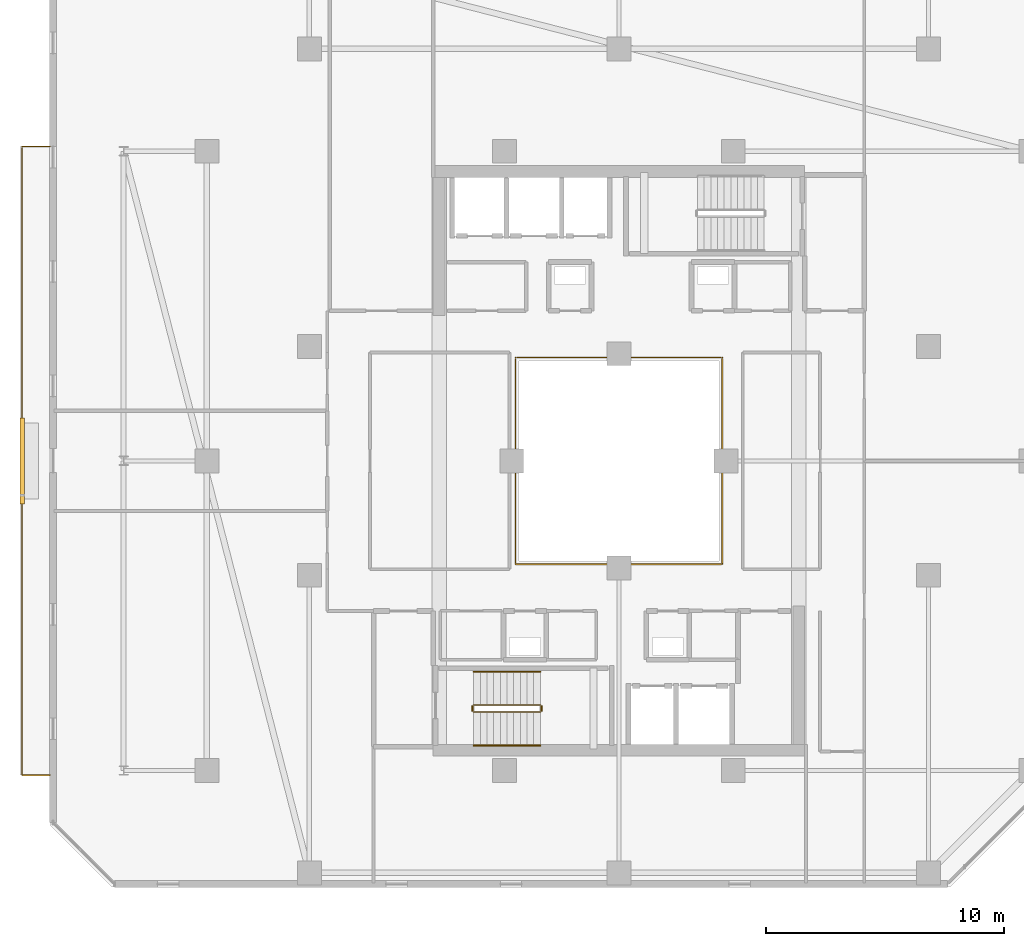
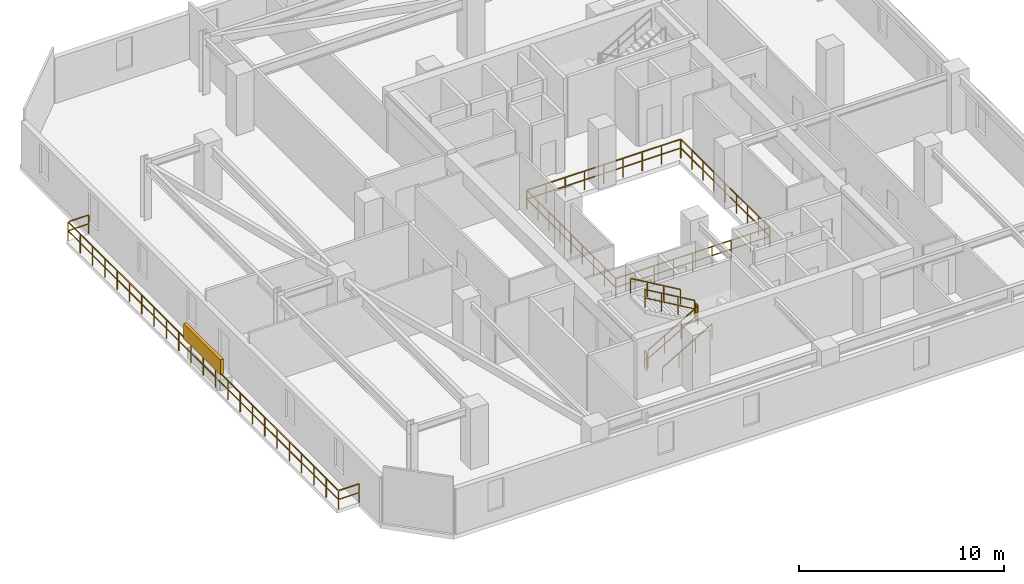
# One storey, part 30 of 33: 8 railings, 1 shading device.
"""IFC4 building model written with IfcOpenShell, lengths in metres."""

from ifc_helpers import new_model, si_unit, direction, frame, origin, origin_2d, place, context, subcontext, project, spatial, rectangle, extrude, material, type_object, element, save


model = new_model("IFC4")

# Units and contexts
model_context = context("Model", 3, precision=1e-05, world=origin(), true_north=direction((0.0, 1.0)))
body_context = subcontext(model_context, "Body", "Model", "MODEL_VIEW")
ifc_project = project(units=[si_unit("LENGTHUNIT", "METRE"), si_unit("AREAUNIT", "SQUARE_METRE"), si_unit("VOLUMEUNIT", "CUBIC_METRE"), si_unit("PLANEANGLEUNIT", "RADIAN"), si_unit("MASSUNIT", "GRAM", prefix="KILO")], contexts=[model_context])

# Site, building, storey
site_placement = place(None, origin())
site = spatial("IfcSite", under=ifc_project, at=site_placement, CompositionType="ELEMENT")
building_placement = place(site_placement, origin())
building = spatial("IfcBuilding", under=site, at=building_placement, Name="Thornwick Lancets Civic Towers", CompositionType="ELEMENT")
storey_placement = place(building_placement, frame((0.0, 0.0, 203.699951171875)))
storey = spatial("IfcBuildingStorey", under=building, at=storey_placement, Name="L54", CompositionType="ELEMENT", Elevation=203.699951171875)

# Railings
ifc_material_1 = material(Name="Laminated glass and bronze steel S355", Category="steel")
railing_type_1 = type_object("IfcRailingType", Name="RAIL_ATRIUM_GUARD", PredefinedType="BALUSTRADE", material=ifc_material_1)
railing_1_placement = place(storey_placement, frame((21.159912109375, 22.659912109375, 0.0)))
element("IfcRailing", 1, at=railing_1_placement, inside=storey, type_object=railing_type_1, Name="L54 Tower A Central Atrium Guard Balustrade", PredefinedType="BALUSTRADE", context=body_context, shape_type="SweptSolid", body=[
    extrude(rectangle(XDim=0.048095703125, YDim=0.048095703125, at=origin_2d()), frame((0.0, 0.0, 1.1259765625), z_axis=(1.0, 0.0, 0.0), x_axis=(0.0, 1.0, 0.0)), (0.0, 0.0, 1.0), 8.64892578125),
    extrude(rectangle(XDim=0.0419921875, YDim=0.0419921875, at=origin_2d()), frame((0.03759765625, 0.0, 0.597900390625), z_axis=(1.0, 0.0, 0.0), x_axis=(0.0, 1.0, 0.0)), (0.0, 0.0, 1.0), 1.010009765625),
    extrude(rectangle(XDim=0.0419921875, YDim=0.0419921875, at=origin_2d()), frame((1.12255859375, 0.0, 0.597900390625), z_axis=(1.0, 0.0, 0.0), x_axis=(0.0, 1.0, 0.0)), (0.0, 0.0, 1.0), 1.010009765625),
    extrude(rectangle(XDim=0.0419921875, YDim=0.0419921875, at=origin_2d()), frame((2.20751953125, 0.0, 0.597900390625), z_axis=(1.0, 0.0, 0.0), x_axis=(0.0, 1.0, 0.0)), (0.0, 0.0, 1.0), 1.010009765625),
    extrude(rectangle(XDim=0.0419921875, YDim=0.0419921875, at=origin_2d()), frame((3.29248046875, 0.0, 0.597900390625), z_axis=(1.0, 0.0, 0.0), x_axis=(0.0, 1.0, 0.0)), (0.0, 0.0, 1.0), 1.010009765625),
    extrude(rectangle(XDim=0.0419921875, YDim=0.0419921875, at=origin_2d()), frame((4.377685546875, 0.0, 0.597900390625), z_axis=(1.0, 0.0, 0.0), x_axis=(0.0, 1.0, 0.0)), (0.0, 0.0, 1.0), 1.010009765625),
    extrude(rectangle(XDim=0.0419921875, YDim=0.0419921875, at=origin_2d()), frame((5.462646484375, 0.0, 0.597900390625), z_axis=(1.0, 0.0, 0.0), x_axis=(0.0, 1.0, 0.0)), (0.0, 0.0, 1.0), 1.010009765625),
    extrude(rectangle(XDim=0.0419921875, YDim=0.0419921875, at=origin_2d()), frame((6.547607421875, 0.0, 0.597900390625), z_axis=(1.0, 0.0, 0.0), x_axis=(0.0, 1.0, 0.0)), (0.0, 0.0, 1.0), 1.010009765625),
    extrude(rectangle(XDim=0.0419921875, YDim=0.0419921875, at=origin_2d()), frame((7.632568359375, 0.0, 0.597900390625), z_axis=(1.0, 0.0, 0.0), x_axis=(0.0, 1.0, 0.0)), (0.0, 0.0, 1.0), 1.010009765625),
    extrude(rectangle(XDim=0.048095703125, YDim=0.048095703125, at=origin_2d()), frame((8.68017578125, 0.03125, 1.1259765625), z_axis=(0.0, 1.0, 0.0), x_axis=(-1.0, 0.0, 0.0)), (0.0, 0.0, 1.0), 8.61767578125),
    extrude(rectangle(XDim=0.0419921875, YDim=0.0419921875, at=origin_2d()), frame((8.68017578125, 0.03759765625, 0.597900390625), z_axis=(0.0, 1.0, 0.0), x_axis=(-1.0, 0.0, 0.0)), (0.0, 0.0, 1.0), 1.010009765625),
    extrude(rectangle(XDim=0.0419921875, YDim=0.0419921875, at=origin_2d()), frame((8.68017578125, 1.12255859375, 0.597900390625), z_axis=(0.0, 1.0, 0.0), x_axis=(-1.0, 0.0, 0.0)), (0.0, 0.0, 1.0), 1.010009765625),
    extrude(rectangle(XDim=0.0419921875, YDim=0.0419921875, at=origin_2d()), frame((8.68017578125, 2.20751953125, 0.597900390625), z_axis=(0.0, 1.0, 0.0), x_axis=(-1.0, 0.0, 0.0)), (0.0, 0.0, 1.0), 1.010009765625),
    extrude(rectangle(XDim=0.0419921875, YDim=0.0419921875, at=origin_2d()), frame((8.68017578125, 3.29248046875, 0.597900390625), z_axis=(0.0, 1.0, 0.0), x_axis=(-1.0, 0.0, 0.0)), (0.0, 0.0, 1.0), 1.010009765625),
    extrude(rectangle(XDim=0.0419921875, YDim=0.0419921875, at=origin_2d()), frame((8.68017578125, 4.377685546875, 0.597900390625), z_axis=(0.0, 1.0, 0.0), x_axis=(-1.0, 0.0, 0.0)), (0.0, 0.0, 1.0), 1.010009765625),
    extrude(rectangle(XDim=0.0419921875, YDim=0.0419921875, at=origin_2d()), frame((8.68017578125, 5.462646484375, 0.597900390625), z_axis=(0.0, 1.0, 0.0), x_axis=(-1.0, 0.0, 0.0)), (0.0, 0.0, 1.0), 1.010009765625),
    extrude(rectangle(XDim=0.0419921875, YDim=0.0419921875, at=origin_2d()), frame((8.68017578125, 6.547607421875, 0.597900390625), z_axis=(0.0, 1.0, 0.0), x_axis=(-1.0, 0.0, 0.0)), (0.0, 0.0, 1.0), 1.010009765625),
    extrude(rectangle(XDim=0.0419921875, YDim=0.0419921875, at=origin_2d()), frame((8.68017578125, 7.632568359375, 0.597900390625), z_axis=(0.0, 1.0, 0.0), x_axis=(-1.0, 0.0, 0.0)), (0.0, 0.0, 1.0), 1.010009765625),
    extrude(rectangle(XDim=0.048095703125, YDim=0.048095703125, at=origin_2d()), frame((8.64892578125, 8.68017578125, 1.1259765625), z_axis=(-1.0, 0.0, 0.0), x_axis=(0.0, -1.0, 0.0)), (0.0, 0.0, 1.0), 8.61767578125),
    extrude(rectangle(XDim=0.0419921875, YDim=0.0419921875, at=origin_2d()), frame((8.642578125, 8.68017578125, 0.597900390625), z_axis=(-1.0, 0.0, 0.0), x_axis=(0.0, -1.0, 0.0)), (0.0, 0.0, 1.0), 1.010009765625),
    extrude(rectangle(XDim=0.0419921875, YDim=0.0419921875, at=origin_2d()), frame((7.5576171875, 8.68017578125, 0.597900390625), z_axis=(-1.0, 0.0, 0.0), x_axis=(0.0, -1.0, 0.0)), (0.0, 0.0, 1.0), 1.010009765625),
    extrude(rectangle(XDim=0.0419921875, YDim=0.0419921875, at=origin_2d()), frame((6.47265625, 8.68017578125, 0.597900390625), z_axis=(-1.0, 0.0, 0.0), x_axis=(0.0, -1.0, 0.0)), (0.0, 0.0, 1.0), 1.010009765625),
    extrude(rectangle(XDim=0.0419921875, YDim=0.0419921875, at=origin_2d()), frame((5.3876953125, 8.68017578125, 0.597900390625), z_axis=(-1.0, 0.0, 0.0), x_axis=(0.0, -1.0, 0.0)), (0.0, 0.0, 1.0), 1.010009765625),
    extrude(rectangle(XDim=0.0419921875, YDim=0.0419921875, at=origin_2d()), frame((4.302490234375, 8.68017578125, 0.597900390625), z_axis=(-1.0, 0.0, 0.0), x_axis=(0.0, -1.0, 0.0)), (0.0, 0.0, 1.0), 1.010009765625),
    extrude(rectangle(XDim=0.0419921875, YDim=0.0419921875, at=origin_2d()), frame((3.217529296875, 8.68017578125, 0.597900390625), z_axis=(-1.0, 0.0, 0.0), x_axis=(0.0, -1.0, 0.0)), (0.0, 0.0, 1.0), 1.010009765625),
    extrude(rectangle(XDim=0.0419921875, YDim=0.0419921875, at=origin_2d()), frame((2.132568359375, 8.68017578125, 0.597900390625), z_axis=(-1.0, 0.0, 0.0), x_axis=(0.0, -1.0, 0.0)), (0.0, 0.0, 1.0), 1.010009765625),
    extrude(rectangle(XDim=0.0419921875, YDim=0.0419921875, at=origin_2d()), frame((1.047607421875, 8.68017578125, 0.597900390625), z_axis=(-1.0, 0.0, 0.0), x_axis=(0.0, -1.0, 0.0)), (0.0, 0.0, 1.0), 1.010009765625),
    extrude(rectangle(XDim=0.048095703125, YDim=0.048095703125, at=origin_2d()), frame((0.0, 8.64892578125, 1.1259765625), z_axis=(0.0, -1.0, 0.0), x_axis=(1.0, 0.0, 0.0)), (0.0, 0.0, 1.0), 8.64892578125),
    extrude(rectangle(XDim=0.0419921875, YDim=0.0419921875, at=origin_2d()), frame((0.0, 8.642578125, 0.597900390625), z_axis=(0.0, -1.0, 0.0), x_axis=(1.0, 0.0, 0.0)), (0.0, 0.0, 1.0), 1.010009765625),
    extrude(rectangle(XDim=0.0419921875, YDim=0.0419921875, at=origin_2d()), frame((0.0, 7.5576171875, 0.597900390625), z_axis=(0.0, -1.0, 0.0), x_axis=(1.0, 0.0, 0.0)), (0.0, 0.0, 1.0), 1.010009765625),
    extrude(rectangle(XDim=0.0419921875, YDim=0.0419921875, at=origin_2d()), frame((0.0, 6.47265625, 0.597900390625), z_axis=(0.0, -1.0, 0.0), x_axis=(1.0, 0.0, 0.0)), (0.0, 0.0, 1.0), 1.010009765625),
    extrude(rectangle(XDim=0.0419921875, YDim=0.0419921875, at=origin_2d()), frame((0.0, 5.3876953125, 0.597900390625), z_axis=(0.0, -1.0, 0.0), x_axis=(1.0, 0.0, 0.0)), (0.0, 0.0, 1.0), 1.010009765625),
    extrude(rectangle(XDim=0.0419921875, YDim=0.0419921875, at=origin_2d()), frame((0.0, 4.302490234375, 0.597900390625), z_axis=(0.0, -1.0, 0.0), x_axis=(1.0, 0.0, 0.0)), (0.0, 0.0, 1.0), 1.010009765625),
    extrude(rectangle(XDim=0.0419921875, YDim=0.0419921875, at=origin_2d()), frame((0.0, 3.217529296875, 0.597900390625), z_axis=(0.0, -1.0, 0.0), x_axis=(1.0, 0.0, 0.0)), (0.0, 0.0, 1.0), 1.010009765625),
    extrude(rectangle(XDim=0.0419921875, YDim=0.0419921875, at=origin_2d()), frame((0.0, 2.132568359375, 0.597900390625), z_axis=(0.0, -1.0, 0.0), x_axis=(1.0, 0.0, 0.0)), (0.0, 0.0, 1.0), 1.010009765625),
    extrude(rectangle(XDim=0.0419921875, YDim=0.0419921875, at=origin_2d()), frame((0.0, 1.047607421875, 0.597900390625), z_axis=(0.0, -1.0, 0.0), x_axis=(1.0, 0.0, 0.0)), (0.0, 0.0, 1.0), 1.010009765625),
    extrude(rectangle(XDim=0.0419921875, YDim=0.0419921875, at=origin_2d()), origin(), (0.0, 0.0, 1.0), 1.095703125),
    extrude(rectangle(XDim=0.0419921875, YDim=0.0419921875, at=origin_2d()), frame((1.0849609375, 0.0, 0.0)), (0.0, 0.0, 1.0), 1.095703125),
    extrude(rectangle(XDim=0.0419921875, YDim=0.0419921875, at=origin_2d()), frame((2.169921875, 0.0, 0.0)), (0.0, 0.0, 1.0), 1.095703125),
    extrude(rectangle(XDim=0.0419921875, YDim=0.0419921875, at=origin_2d()), frame((3.255126953125, 0.0, 0.0)), (0.0, 0.0, 1.0), 1.095703125),
    extrude(rectangle(XDim=0.0419921875, YDim=0.0419921875, at=origin_2d()), frame((4.340087890625, 0.0, 0.0)), (0.0, 0.0, 1.0), 1.095703125),
    extrude(rectangle(XDim=0.0419921875, YDim=0.0419921875, at=origin_2d()), frame((5.425048828125, 0.0, 0.0)), (0.0, 0.0, 1.0), 1.095703125),
    extrude(rectangle(XDim=0.0419921875, YDim=0.0419921875, at=origin_2d()), frame((6.51025390625, 0.0, 0.0)), (0.0, 0.0, 1.0), 1.095703125),
    extrude(rectangle(XDim=0.0419921875, YDim=0.0419921875, at=origin_2d()), frame((7.59521484375, 0.0, 0.0)), (0.0, 0.0, 1.0), 1.095703125),
    extrude(rectangle(XDim=0.0419921875, YDim=0.0419921875, at=origin_2d()), frame((8.68017578125, 0.0, 0.0)), (0.0, 0.0, 1.0), 1.095703125),
    extrude(rectangle(XDim=0.0419921875, YDim=0.0419921875, at=origin_2d()), frame((8.68017578125, 1.0849609375, 0.0)), (0.0, 0.0, 1.0), 1.095703125),
    extrude(rectangle(XDim=0.0419921875, YDim=0.0419921875, at=origin_2d()), frame((8.68017578125, 2.169921875, 0.0)), (0.0, 0.0, 1.0), 1.095703125),
    extrude(rectangle(XDim=0.0419921875, YDim=0.0419921875, at=origin_2d()), frame((8.68017578125, 3.255126953125, 0.0)), (0.0, 0.0, 1.0), 1.095703125),
    extrude(rectangle(XDim=0.0419921875, YDim=0.0419921875, at=origin_2d()), frame((8.68017578125, 4.340087890625, 0.0)), (0.0, 0.0, 1.0), 1.095703125),
    extrude(rectangle(XDim=0.0419921875, YDim=0.0419921875, at=origin_2d()), frame((8.68017578125, 5.425048828125, 0.0)), (0.0, 0.0, 1.0), 1.095703125),
    extrude(rectangle(XDim=0.0419921875, YDim=0.0419921875, at=origin_2d()), frame((8.68017578125, 6.51025390625, 0.0)), (0.0, 0.0, 1.0), 1.095703125),
    extrude(rectangle(XDim=0.0419921875, YDim=0.0419921875, at=origin_2d()), frame((8.68017578125, 7.59521484375, 0.0)), (0.0, 0.0, 1.0), 1.095703125),
    extrude(rectangle(XDim=0.0419921875, YDim=0.0419921875, at=origin_2d()), frame((8.68017578125, 8.68017578125, 0.0)), (0.0, 0.0, 1.0), 1.095703125),
    extrude(rectangle(XDim=0.0419921875, YDim=0.0419921875, at=origin_2d()), frame((7.59521484375, 8.68017578125, 0.0)), (0.0, 0.0, 1.0), 1.095703125),
    extrude(rectangle(XDim=0.0419921875, YDim=0.0419921875, at=origin_2d()), frame((6.51025390625, 8.68017578125, 0.0)), (0.0, 0.0, 1.0), 1.095703125),
    extrude(rectangle(XDim=0.0419921875, YDim=0.0419921875, at=origin_2d()), frame((5.425048828125, 8.68017578125, 0.0)), (0.0, 0.0, 1.0), 1.095703125),
    extrude(rectangle(XDim=0.0419921875, YDim=0.0419921875, at=origin_2d()), frame((4.340087890625, 8.68017578125, 0.0)), (0.0, 0.0, 1.0), 1.095703125),
    extrude(rectangle(XDim=0.0419921875, YDim=0.0419921875, at=origin_2d()), frame((3.255126953125, 8.68017578125, 0.0)), (0.0, 0.0, 1.0), 1.095703125),
    extrude(rectangle(XDim=0.0419921875, YDim=0.0419921875, at=origin_2d()), frame((2.169921875, 8.68017578125, 0.0)), (0.0, 0.0, 1.0), 1.095703125),
    extrude(rectangle(XDim=0.0419921875, YDim=0.0419921875, at=origin_2d()), frame((1.0849609375, 8.68017578125, 0.0)), (0.0, 0.0, 1.0), 1.095703125),
    extrude(rectangle(XDim=0.0419921875, YDim=0.0419921875, at=origin_2d()), frame((0.0, 8.68017578125, 0.0)), (0.0, 0.0, 1.0), 1.095703125),
    extrude(rectangle(XDim=0.0419921875, YDim=0.0419921875, at=origin_2d()), frame((0.0, 7.59521484375, 0.0)), (0.0, 0.0, 1.0), 1.095703125),
    extrude(rectangle(XDim=0.0419921875, YDim=0.0419921875, at=origin_2d()), frame((0.0, 6.51025390625, 0.0)), (0.0, 0.0, 1.0), 1.095703125),
    extrude(rectangle(XDim=0.0419921875, YDim=0.0419921875, at=origin_2d()), frame((0.0, 5.425048828125, 0.0)), (0.0, 0.0, 1.0), 1.095703125),
    extrude(rectangle(XDim=0.0419921875, YDim=0.0419921875, at=origin_2d()), frame((0.0, 4.340087890625, 0.0)), (0.0, 0.0, 1.0), 1.095703125),
    extrude(rectangle(XDim=0.0419921875, YDim=0.0419921875, at=origin_2d()), frame((0.0, 3.255126953125, 0.0)), (0.0, 0.0, 1.0), 1.095703125),
    extrude(rectangle(XDim=0.0419921875, YDim=0.0419921875, at=origin_2d()), frame((0.0, 2.169921875, 0.0)), (0.0, 0.0, 1.0), 1.095703125),
    extrude(rectangle(XDim=0.0419921875, YDim=0.0419921875, at=origin_2d()), frame((0.0, 1.0849609375, 0.0)), (0.0, 0.0, 1.0), 1.095703125),
])
ifc_material_2 = material(Name="Brushed stainless steel S355", Category="steel")
railing_type_2 = type_object("IfcRailingType", Name="RAIL_HANDRAIL", PredefinedType="HANDRAIL", material=ifc_material_2)
railing_2_placement = place(storey_placement, frame((19.39990234375, 15.050048828125, 0.16357421875)))
element("IfcRailing", 2, at=railing_2_placement, inside=storey, type_object=railing_type_2, Name="L54 ST-A1 stair handrail 1", PredefinedType="HANDRAIL", context=body_context, shape_type="SweptSolid", body=[
    extrude(rectangle(XDim=0.048095703125, YDim=0.048095703125, at=origin_2d()), frame((0.0, 0.0, 0.8857421875), z_axis=(0.863360870873, 0.0, 0.504586966384), x_axis=(0.0, 1.0, 0.0)), (0.0, 0.0, 1.0), 3.2431640625),
    extrude(rectangle(XDim=0.0419921875, YDim=0.0419921875, at=origin_2d()), origin(), (0.0, 0.0, 1.0), 0.855712890625),
    extrude(rectangle(XDim=0.0419921875, YDim=0.0419921875, at=origin_2d()), frame((0.933349609375, 0.0, 0.54541015625)), (0.0, 0.0, 1.0), 0.855712890625),
    extrude(rectangle(XDim=0.0419921875, YDim=0.0419921875, at=origin_2d()), frame((1.86669921875, 0.0, 1.091064453125)), (0.0, 0.0, 1.0), 0.855712890625),
    extrude(rectangle(XDim=0.0419921875, YDim=0.0419921875, at=origin_2d()), frame((2.800048828125, 0.0, 1.636474609375)), (0.0, 0.0, 1.0), 0.855712890625),
])
railing_3_placement = place(storey_placement, frame((22.199951171875, 18.14990234375, 1.963623046875)))
element("IfcRailing", 3, at=railing_3_placement, inside=storey, type_object=railing_type_2, Name="L54 ST-A1 stair handrail 2", PredefinedType="HANDRAIL", context=body_context, shape_type="SweptSolid", body=[
    extrude(rectangle(XDim=0.048095703125, YDim=0.048095703125, at=origin_2d()), frame((0.0, 0.0, 0.8857421875), z_axis=(-0.863360870873, 0.0, 0.504586966384), x_axis=(0.0, -1.0, 0.0)), (0.0, 0.0, 1.0), 3.2431640625),
    extrude(rectangle(XDim=0.0419921875, YDim=0.0419921875, at=origin_2d()), origin(), (0.0, 0.0, 1.0), 0.855712890625),
    extrude(rectangle(XDim=0.0419921875, YDim=0.0419921875, at=origin_2d()), frame((-0.933349609375, 0.0, 0.54541015625)), (0.0, 0.0, 1.0), 0.855712890625),
    extrude(rectangle(XDim=0.0419921875, YDim=0.0419921875, at=origin_2d()), frame((-1.86669921875, 0.0, 1.091064453125)), (0.0, 0.0, 1.0), 0.855712890625),
    extrude(rectangle(XDim=0.0419921875, YDim=0.0419921875, at=origin_2d()), frame((-2.800048828125, 0.0, 1.636474609375)), (0.0, 0.0, 1.0), 0.855712890625),
])
ifc_material_3 = material(Name="Steel S355JR", Category="steel")
railing_type_3 = type_object("IfcRailingType", Name="RAIL_STAIR_GUARD", PredefinedType="GUARDRAIL", material=ifc_material_3)
railing_4_placement = place(storey_placement, frame((19.39990234375, 16.449951171875, 0.16357421875)))
element("IfcRailing", 4, at=railing_4_placement, inside=storey, type_object=railing_type_3, Name="L54 ST-A1 stair guard 1", PredefinedType="GUARDRAIL", context=body_context, shape_type="SweptSolid", body=[
    extrude(rectangle(XDim=0.048095703125, YDim=0.048095703125, at=origin_2d()), frame((0.0, 0.0, 1.076171875), z_axis=(0.863360870873, 0.0, 0.504586966384), x_axis=(0.0, 1.0, 0.0)), (0.0, 0.0, 1.0), 3.2431640625),
    extrude(rectangle(XDim=0.0419921875, YDim=0.0419921875, at=origin_2d()), frame((0.032470703125, 0.0, 0.591064453125), z_axis=(0.863360870873, 0.0, 0.504586966384), x_axis=(0.0, 1.0, 0.0)), (0.0, 0.0, 1.0), 1.006103515625),
    extrude(rectangle(XDim=0.0419921875, YDim=0.0419921875, at=origin_2d()), frame((0.9658203125, 0.0, 1.136474609375), z_axis=(0.863360870873, 0.0, 0.504586966384), x_axis=(0.0, 1.0, 0.0)), (0.0, 0.0, 1.0), 1.006103515625),
    extrude(rectangle(XDim=0.0419921875, YDim=0.0419921875, at=origin_2d()), frame((1.899169921875, 0.0, 1.681884765625), z_axis=(0.863360870873, 0.0, 0.504586966384), x_axis=(0.0, 1.0, 0.0)), (0.0, 0.0, 1.0), 1.006103515625),
    extrude(rectangle(XDim=0.0419921875, YDim=0.0419921875, at=origin_2d()), origin(), (0.0, 0.0, 1.0), 1.0458984375),
    extrude(rectangle(XDim=0.0419921875, YDim=0.0419921875, at=origin_2d()), frame((0.933349609375, 0.0, 0.54541015625)), (0.0, 0.0, 1.0), 1.0458984375),
    extrude(rectangle(XDim=0.0419921875, YDim=0.0419921875, at=origin_2d()), frame((1.86669921875, 0.0, 1.091064453125)), (0.0, 0.0, 1.0), 1.0458984375),
    extrude(rectangle(XDim=0.0419921875, YDim=0.0419921875, at=origin_2d()), frame((2.800048828125, 0.0, 1.636474609375)), (0.0, 0.0, 1.0), 1.0458984375),
])
railing_5_placement = place(storey_placement, frame((22.25, 16.5, 1.800048828125)))
element("IfcRailing", 5, at=railing_5_placement, inside=storey, type_object=railing_type_3, Name="L54 ST-A1 stair guard 2", PredefinedType="GUARDRAIL", context=body_context, shape_type="SweptSolid", body=[
    extrude(rectangle(XDim=0.048095703125, YDim=0.048095703125, at=origin_2d()), frame((0.0, 0.0, 1.076171875), z_axis=(0.0, 1.0, 0.0), x_axis=(-1.0, 0.0, 0.0)), (0.0, 0.0, 1.0), 0.199951171875),
    extrude(rectangle(XDim=0.0419921875, YDim=0.0419921875, at=origin_2d()), frame((0.0, 0.03759765625, 0.572021484375), z_axis=(0.0, 1.0, 0.0), x_axis=(-1.0, 0.0, 0.0)), (0.0, 0.0, 1.0), 0.125),
    extrude(rectangle(XDim=0.0419921875, YDim=0.0419921875, at=origin_2d()), origin(), (0.0, 0.0, 1.0), 1.0458984375),
    extrude(rectangle(XDim=0.0419921875, YDim=0.0419921875, at=origin_2d()), frame((0.0, 0.199951171875, 0.0)), (0.0, 0.0, 1.0), 1.0458984375),
])
railing_6_placement = place(storey_placement, frame((22.199951171875, 16.75, 1.963623046875)))
element("IfcRailing", 6, at=railing_6_placement, inside=storey, type_object=railing_type_3, Name="L54 ST-A1 stair guard 3", PredefinedType="GUARDRAIL", context=body_context, shape_type="SweptSolid", body=[
    extrude(rectangle(XDim=0.048095703125, YDim=0.048095703125, at=origin_2d()), frame((0.0, 0.0, 1.076171875), z_axis=(-0.863360870873, 0.0, 0.504586966384), x_axis=(0.0, -1.0, 0.0)), (0.0, 0.0, 1.0), 3.2431640625),
    extrude(rectangle(XDim=0.0419921875, YDim=0.0419921875, at=origin_2d()), frame((-0.032470703125, 0.0, 0.591064453125), z_axis=(-0.863360870873, 0.0, 0.504586966384), x_axis=(0.0, -1.0, 0.0)), (0.0, 0.0, 1.0), 1.006103515625),
    extrude(rectangle(XDim=0.0419921875, YDim=0.0419921875, at=origin_2d()), frame((-0.9658203125, 0.0, 1.136474609375), z_axis=(-0.863360870873, 0.0, 0.504586966384), x_axis=(0.0, -1.0, 0.0)), (0.0, 0.0, 1.0), 1.006103515625),
    extrude(rectangle(XDim=0.0419921875, YDim=0.0419921875, at=origin_2d()), frame((-1.899169921875, 0.0, 1.681884765625), z_axis=(-0.863360870873, 0.0, 0.504586966384), x_axis=(0.0, -1.0, 0.0)), (0.0, 0.0, 1.0), 1.006103515625),
    extrude(rectangle(XDim=0.0419921875, YDim=0.0419921875, at=origin_2d()), origin(), (0.0, 0.0, 1.0), 1.0458984375),
    extrude(rectangle(XDim=0.0419921875, YDim=0.0419921875, at=origin_2d()), frame((-0.933349609375, 0.0, 0.54541015625)), (0.0, 0.0, 1.0), 1.0458984375),
    extrude(rectangle(XDim=0.0419921875, YDim=0.0419921875, at=origin_2d()), frame((-1.86669921875, 0.0, 1.091064453125)), (0.0, 0.0, 1.0), 1.0458984375),
    extrude(rectangle(XDim=0.0419921875, YDim=0.0419921875, at=origin_2d()), frame((-2.800048828125, 0.0, 1.636474609375)), (0.0, 0.0, 1.0), 1.0458984375),
])
railing_7_placement = place(storey_placement, frame((19.35009765625, 16.5, 0.0)))
element("IfcRailing", 7, at=railing_7_placement, inside=storey, type_object=railing_type_3, Name="L54 ST-A1 stair guard 4", PredefinedType="GUARDRAIL", context=body_context, shape_type="SweptSolid", body=[
    extrude(rectangle(XDim=0.048095703125, YDim=0.048095703125, at=origin_2d()), frame((0.0, 0.0, 1.076171875), z_axis=(0.0, 1.0, 0.0), x_axis=(-1.0, 0.0, 0.0)), (0.0, 0.0, 1.0), 0.199951171875),
    extrude(rectangle(XDim=0.0419921875, YDim=0.0419921875, at=origin_2d()), frame((0.0, 0.03759765625, 0.572021484375), z_axis=(0.0, 1.0, 0.0), x_axis=(-1.0, 0.0, 0.0)), (0.0, 0.0, 1.0), 0.125),
    extrude(rectangle(XDim=0.0419921875, YDim=0.0419921875, at=origin_2d()), origin(), (0.0, 0.0, 1.0), 1.0458984375),
    extrude(rectangle(XDim=0.0419921875, YDim=0.0419921875, at=origin_2d()), frame((0.0, 0.199951171875, 0.0)), (0.0, 0.0, 1.0), 1.0458984375),
])
ifc_material_4 = material(Name="Terracotta-capped laminated glass balustrade S355", Category="masonry")
railing_type_4 = type_object("IfcRailingType", Name="RAIL_TERR_GUARD", PredefinedType="GUARDRAIL", material=ifc_material_4)
railing_8_placement = place(storey_placement, frame((1.60009765625, 13.800048828125, 0.0)))
element("IfcRailing", 8, at=railing_8_placement, inside=storey, type_object=railing_type_4, Name="L54 Tower A Balcony Guard W", PredefinedType="GUARDRAIL", context=body_context, shape_type="SweptSolid", body=[
    extrude(rectangle(XDim=0.048095703125, YDim=0.048095703125, at=origin_2d()), frame((0.0, 0.0, 1.1259765625), z_axis=(-1.0, 0.0, 0.0), x_axis=(0.0, -1.0, 0.0)), (0.0, 0.0, 1.0), 1.138916015625),
    extrude(rectangle(XDim=0.0419921875, YDim=0.0419921875, at=origin_2d()), frame((-0.03759765625, 0.0, 0.597900390625), z_axis=(-1.0, 0.0, 0.0), x_axis=(0.0, -1.0, 0.0)), (0.0, 0.0, 1.0), 1.09521484375),
    extrude(rectangle(XDim=0.048095703125, YDim=0.048095703125, at=origin_2d()), frame((-1.170166015625, 0.03125, 1.1259765625), z_axis=(0.0, 1.0, 0.0), x_axis=(-1.0, 0.0, 0.0)), (0.0, 0.0, 1.0), 26.33740234375),
    extrude(rectangle(XDim=0.0419921875, YDim=0.0419921875, at=origin_2d()), frame((-1.170166015625, 0.03759765625, 0.597900390625), z_axis=(0.0, 1.0, 0.0), x_axis=(-1.0, 0.0, 0.0)), (0.0, 0.0, 1.0), 1.125),
    extrude(rectangle(XDim=0.0419921875, YDim=0.0419921875, at=origin_2d()), frame((-1.170166015625, 1.237548828125, 0.597900390625), z_axis=(0.0, 1.0, 0.0), x_axis=(-1.0, 0.0, 0.0)), (0.0, 0.0, 1.0), 1.125),
    extrude(rectangle(XDim=0.0419921875, YDim=0.0419921875, at=origin_2d()), frame((-1.170166015625, 2.4375, 0.597900390625), z_axis=(0.0, 1.0, 0.0), x_axis=(-1.0, 0.0, 0.0)), (0.0, 0.0, 1.0), 1.125),
    extrude(rectangle(XDim=0.0419921875, YDim=0.0419921875, at=origin_2d()), frame((-1.170166015625, 3.637451171875, 0.597900390625), z_axis=(0.0, 1.0, 0.0), x_axis=(-1.0, 0.0, 0.0)), (0.0, 0.0, 1.0), 1.125),
    extrude(rectangle(XDim=0.0419921875, YDim=0.0419921875, at=origin_2d()), frame((-1.170166015625, 4.83740234375, 0.597900390625), z_axis=(0.0, 1.0, 0.0), x_axis=(-1.0, 0.0, 0.0)), (0.0, 0.0, 1.0), 1.125),
    extrude(rectangle(XDim=0.0419921875, YDim=0.0419921875, at=origin_2d()), frame((-1.170166015625, 6.037353515625, 0.597900390625), z_axis=(0.0, 1.0, 0.0), x_axis=(-1.0, 0.0, 0.0)), (0.0, 0.0, 1.0), 1.125),
    extrude(rectangle(XDim=0.0419921875, YDim=0.0419921875, at=origin_2d()), frame((-1.170166015625, 7.237548828125, 0.597900390625), z_axis=(0.0, 1.0, 0.0), x_axis=(-1.0, 0.0, 0.0)), (0.0, 0.0, 1.0), 1.125),
    extrude(rectangle(XDim=0.0419921875, YDim=0.0419921875, at=origin_2d()), frame((-1.170166015625, 8.4375, 0.597900390625), z_axis=(0.0, 1.0, 0.0), x_axis=(-1.0, 0.0, 0.0)), (0.0, 0.0, 1.0), 1.125),
    extrude(rectangle(XDim=0.0419921875, YDim=0.0419921875, at=origin_2d()), frame((-1.170166015625, 9.637451171875, 0.597900390625), z_axis=(0.0, 1.0, 0.0), x_axis=(-1.0, 0.0, 0.0)), (0.0, 0.0, 1.0), 1.125),
    extrude(rectangle(XDim=0.0419921875, YDim=0.0419921875, at=origin_2d()), frame((-1.170166015625, 10.83740234375, 0.597900390625), z_axis=(0.0, 1.0, 0.0), x_axis=(-1.0, 0.0, 0.0)), (0.0, 0.0, 1.0), 1.125),
    extrude(rectangle(XDim=0.0419921875, YDim=0.0419921875, at=origin_2d()), frame((-1.170166015625, 12.037353515625, 0.597900390625), z_axis=(0.0, 1.0, 0.0), x_axis=(-1.0, 0.0, 0.0)), (0.0, 0.0, 1.0), 1.125),
    extrude(rectangle(XDim=0.0419921875, YDim=0.0419921875, at=origin_2d()), frame((-1.170166015625, 13.237548828125, 0.597900390625), z_axis=(0.0, 1.0, 0.0), x_axis=(-1.0, 0.0, 0.0)), (0.0, 0.0, 1.0), 1.125),
    extrude(rectangle(XDim=0.0419921875, YDim=0.0419921875, at=origin_2d()), frame((-1.170166015625, 14.4375, 0.597900390625), z_axis=(0.0, 1.0, 0.0), x_axis=(-1.0, 0.0, 0.0)), (0.0, 0.0, 1.0), 1.125),
    extrude(rectangle(XDim=0.0419921875, YDim=0.0419921875, at=origin_2d()), frame((-1.170166015625, 15.637451171875, 0.597900390625), z_axis=(0.0, 1.0, 0.0), x_axis=(-1.0, 0.0, 0.0)), (0.0, 0.0, 1.0), 1.125),
    extrude(rectangle(XDim=0.0419921875, YDim=0.0419921875, at=origin_2d()), frame((-1.170166015625, 16.83740234375, 0.597900390625), z_axis=(0.0, 1.0, 0.0), x_axis=(-1.0, 0.0, 0.0)), (0.0, 0.0, 1.0), 1.125),
    extrude(rectangle(XDim=0.0419921875, YDim=0.0419921875, at=origin_2d()), frame((-1.170166015625, 18.037353515625, 0.597900390625), z_axis=(0.0, 1.0, 0.0), x_axis=(-1.0, 0.0, 0.0)), (0.0, 0.0, 1.0), 1.125),
    extrude(rectangle(XDim=0.0419921875, YDim=0.0419921875, at=origin_2d()), frame((-1.170166015625, 19.2373046875, 0.597900390625), z_axis=(0.0, 1.0, 0.0), x_axis=(-1.0, 0.0, 0.0)), (0.0, 0.0, 1.0), 1.125),
    extrude(rectangle(XDim=0.0419921875, YDim=0.0419921875, at=origin_2d()), frame((-1.170166015625, 20.4375, 0.597900390625), z_axis=(0.0, 1.0, 0.0), x_axis=(-1.0, 0.0, 0.0)), (0.0, 0.0, 1.0), 1.125),
    extrude(rectangle(XDim=0.0419921875, YDim=0.0419921875, at=origin_2d()), frame((-1.170166015625, 21.637451171875, 0.597900390625), z_axis=(0.0, 1.0, 0.0), x_axis=(-1.0, 0.0, 0.0)), (0.0, 0.0, 1.0), 1.125),
    extrude(rectangle(XDim=0.0419921875, YDim=0.0419921875, at=origin_2d()), frame((-1.170166015625, 22.83740234375, 0.597900390625), z_axis=(0.0, 1.0, 0.0), x_axis=(-1.0, 0.0, 0.0)), (0.0, 0.0, 1.0), 1.125),
    extrude(rectangle(XDim=0.0419921875, YDim=0.0419921875, at=origin_2d()), frame((-1.170166015625, 24.037353515625, 0.597900390625), z_axis=(0.0, 1.0, 0.0), x_axis=(-1.0, 0.0, 0.0)), (0.0, 0.0, 1.0), 1.125),
    extrude(rectangle(XDim=0.0419921875, YDim=0.0419921875, at=origin_2d()), frame((-1.170166015625, 25.2373046875, 0.597900390625), z_axis=(0.0, 1.0, 0.0), x_axis=(-1.0, 0.0, 0.0)), (0.0, 0.0, 1.0), 1.125),
    extrude(rectangle(XDim=0.048095703125, YDim=0.048095703125, at=origin_2d()), frame((-1.138916015625, 26.39990234375, 1.1259765625), z_axis=(1.0, 0.0, 0.0), x_axis=(0.0, 1.0, 0.0)), (0.0, 0.0, 1.0), 1.138916015625),
    extrude(rectangle(XDim=0.0419921875, YDim=0.0419921875, at=origin_2d()), frame((-1.132568359375, 26.39990234375, 0.597900390625), z_axis=(1.0, 0.0, 0.0), x_axis=(0.0, 1.0, 0.0)), (0.0, 0.0, 1.0), 1.09521484375),
    extrude(rectangle(XDim=0.0419921875, YDim=0.0419921875, at=origin_2d()), origin(), (0.0, 0.0, 1.0), 1.095703125),
    extrude(rectangle(XDim=0.0419921875, YDim=0.0419921875, at=origin_2d()), frame((-1.170166015625, 0.0, 0.0)), (0.0, 0.0, 1.0), 1.095703125),
    extrude(rectangle(XDim=0.0419921875, YDim=0.0419921875, at=origin_2d()), frame((-1.170166015625, 1.199951171875, 0.0)), (0.0, 0.0, 1.0), 1.095703125),
    extrude(rectangle(XDim=0.0419921875, YDim=0.0419921875, at=origin_2d()), frame((-1.170166015625, 2.39990234375, 0.0)), (0.0, 0.0, 1.0), 1.095703125),
    extrude(rectangle(XDim=0.0419921875, YDim=0.0419921875, at=origin_2d()), frame((-1.170166015625, 3.60009765625, 0.0)), (0.0, 0.0, 1.0), 1.095703125),
    extrude(rectangle(XDim=0.0419921875, YDim=0.0419921875, at=origin_2d()), frame((-1.170166015625, 4.800048828125, 0.0)), (0.0, 0.0, 1.0), 1.095703125),
    extrude(rectangle(XDim=0.0419921875, YDim=0.0419921875, at=origin_2d()), frame((-1.170166015625, 6.0, 0.0)), (0.0, 0.0, 1.0), 1.095703125),
    extrude(rectangle(XDim=0.0419921875, YDim=0.0419921875, at=origin_2d()), frame((-1.170166015625, 7.199951171875, 0.0)), (0.0, 0.0, 1.0), 1.095703125),
    extrude(rectangle(XDim=0.0419921875, YDim=0.0419921875, at=origin_2d()), frame((-1.170166015625, 8.39990234375, 0.0)), (0.0, 0.0, 1.0), 1.095703125),
    extrude(rectangle(XDim=0.0419921875, YDim=0.0419921875, at=origin_2d()), frame((-1.170166015625, 9.599853515625, 0.0)), (0.0, 0.0, 1.0), 1.095703125),
    extrude(rectangle(XDim=0.0419921875, YDim=0.0419921875, at=origin_2d()), frame((-1.170166015625, 10.800048828125, 0.0)), (0.0, 0.0, 1.0), 1.095703125),
    extrude(rectangle(XDim=0.0419921875, YDim=0.0419921875, at=origin_2d()), frame((-1.170166015625, 12.0, 0.0)), (0.0, 0.0, 1.0), 1.095703125),
    extrude(rectangle(XDim=0.0419921875, YDim=0.0419921875, at=origin_2d()), frame((-1.170166015625, 13.199951171875, 0.0)), (0.0, 0.0, 1.0), 1.095703125),
    extrude(rectangle(XDim=0.0419921875, YDim=0.0419921875, at=origin_2d()), frame((-1.170166015625, 14.39990234375, 0.0)), (0.0, 0.0, 1.0), 1.095703125),
    extrude(rectangle(XDim=0.0419921875, YDim=0.0419921875, at=origin_2d()), frame((-1.170166015625, 15.599853515625, 0.0)), (0.0, 0.0, 1.0), 1.095703125),
    extrude(rectangle(XDim=0.0419921875, YDim=0.0419921875, at=origin_2d()), frame((-1.170166015625, 16.800048828125, 0.0)), (0.0, 0.0, 1.0), 1.095703125),
    extrude(rectangle(XDim=0.0419921875, YDim=0.0419921875, at=origin_2d()), frame((-1.170166015625, 18.0, 0.0)), (0.0, 0.0, 1.0), 1.095703125),
    extrude(rectangle(XDim=0.0419921875, YDim=0.0419921875, at=origin_2d()), frame((-1.170166015625, 19.199951171875, 0.0)), (0.0, 0.0, 1.0), 1.095703125),
    extrude(rectangle(XDim=0.0419921875, YDim=0.0419921875, at=origin_2d()), frame((-1.170166015625, 20.39990234375, 0.0)), (0.0, 0.0, 1.0), 1.095703125),
    extrude(rectangle(XDim=0.0419921875, YDim=0.0419921875, at=origin_2d()), frame((-1.170166015625, 21.599853515625, 0.0)), (0.0, 0.0, 1.0), 1.095703125),
    extrude(rectangle(XDim=0.0419921875, YDim=0.0419921875, at=origin_2d()), frame((-1.170166015625, 22.7998046875, 0.0)), (0.0, 0.0, 1.0), 1.095703125),
    extrude(rectangle(XDim=0.0419921875, YDim=0.0419921875, at=origin_2d()), frame((-1.170166015625, 24.0, 0.0)), (0.0, 0.0, 1.0), 1.095703125),
    extrude(rectangle(XDim=0.0419921875, YDim=0.0419921875, at=origin_2d()), frame((-1.170166015625, 25.199951171875, 0.0)), (0.0, 0.0, 1.0), 1.095703125),
    extrude(rectangle(XDim=0.0419921875, YDim=0.0419921875, at=origin_2d()), frame((-1.170166015625, 26.39990234375, 0.0)), (0.0, 0.0, 1.0), 1.095703125),
    extrude(rectangle(XDim=0.0419921875, YDim=0.0419921875, at=origin_2d()), frame((0.0, 26.39990234375, 0.0)), (0.0, 0.0, 1.0), 1.095703125),
])

# Shading device
ifc_material_5 = material(Name="Extruded terracotta baguette solar screen", Category="masonry")
shading_device_type = type_object("IfcShadingDeviceType", Name="SHADE_BAGUETTE", PredefinedType="JALOUSIE", material=ifc_material_5)
shading_device_placement = place(storey_placement, frame((0.43994140625, 27.0, 1.1201171875), z_axis=(0.0, 0.0, 1.0), x_axis=(0.0, 1.0, 0.0)))
element("IfcShadingDevice", 9, at=shading_device_placement, inside=storey, type_object=shading_device_type, Name="L54 Tower A Terracotta Baguette Screen W", PredefinedType="JALOUSIE", context=body_context, shape_type="SweptSolid", body=[
    extrude(rectangle(XDim=3.60009765625, YDim=0.179931640625, at=origin_2d()), origin(), (0.0, 0.0, 1.0), 0.89990234375),
])

save(model, "model.ifc")
